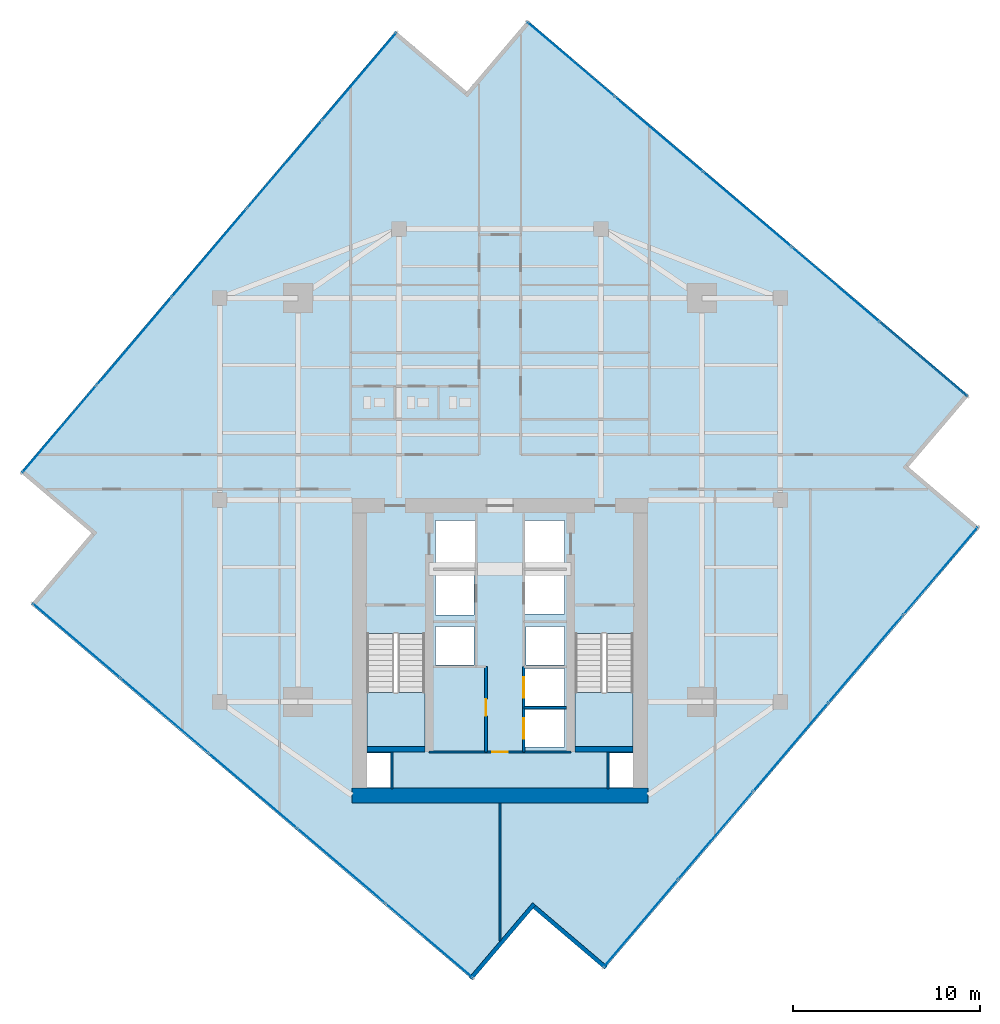
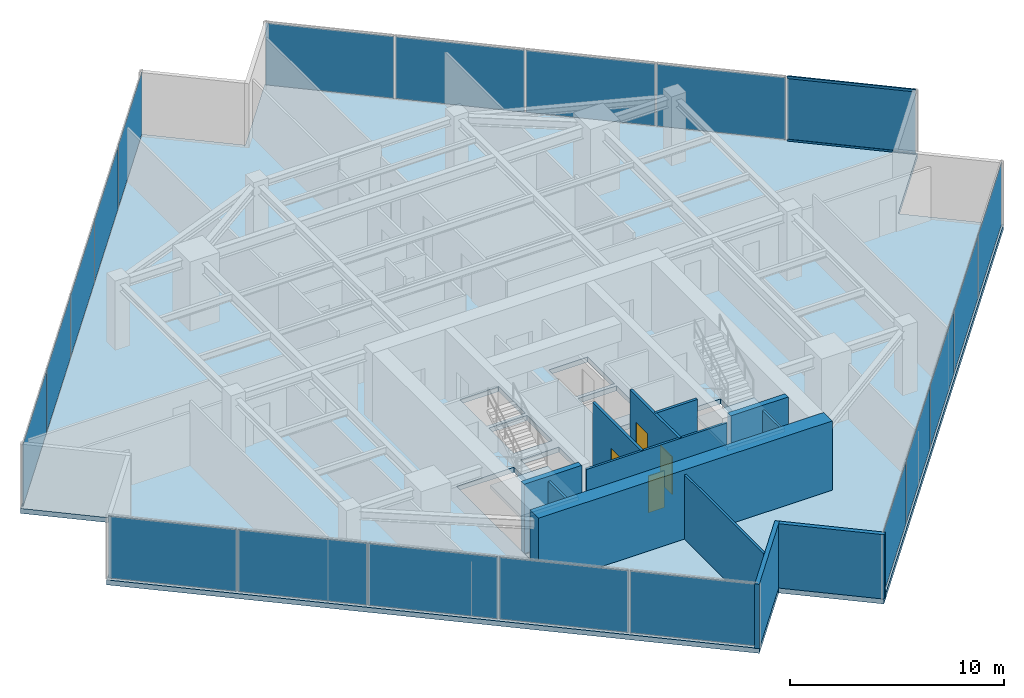
# One storey, part 21 of 25: 20 plates, 12 walls, 4 doors, 3 slabs, 2 members, 4 openings, 6 elements without a shape of their own.
"""IFC4 building model written with IfcOpenShell, lengths in metres."""

from ifc_helpers import new_model, si_unit, direction, frame, frame_2d, origin, origin_2d, place, context, subcontext, project, spatial, polyline, rectangle, hollow_rectangle, outline, extrude, source, transform, mapped, material, layer, layer_set, material_profile, profile_set, type_object, type_shapes, element, fill, aggregate, save


model = new_model("IFC4")

# Units and contexts
model_context = context("Model", 3, precision=1e-05, world=origin(), true_north=direction((0.0, 1.0)))
body_context = subcontext(model_context, "Body", "Model", "MODEL_VIEW")
ifc_project = project(units=[si_unit("LENGTHUNIT", "METRE"), si_unit("AREAUNIT", "SQUARE_METRE"), si_unit("VOLUMEUNIT", "CUBIC_METRE"), si_unit("PLANEANGLEUNIT", "RADIAN"), si_unit("MASSUNIT", "GRAM", prefix="KILO")], contexts=[model_context])

# Site, building, storey
site_placement = place(None, origin())
site = spatial("IfcSite", under=ifc_project, at=site_placement, CompositionType="ELEMENT")
building_placement = place(site_placement, origin())
building = spatial("IfcBuilding", under=site, at=building_placement, Name="Krantzveldt Concourse Tower", CompositionType="ELEMENT")
storey_placement = place(building_placement, frame((0.0, 0.0, 211.25)))
storey = spatial("IfcBuildingStorey", under=building, at=storey_placement, Name="L51", CompositionType="ELEMENT", Elevation=211.25)

# Curtain wall, members
ifc_material_1 = material(Name="Anodised aluminium 6063-T6", Category="aluminium")
curtain_wall_type = type_object("IfcCurtainWallType", Name="CW3", PredefinedType="USERDEFINED", material=ifc_material_1)
curtain_wall_1_placement = place(storey_placement, origin())
curtain_wall_1 = element("IfcCurtainWall", 1, at=curtain_wall_1_placement, inside=storey, type_object=curtain_wall_type, Name="CW-L51-F10", ObjectType="UNITISED CURTAIN WALL", PredefinedType="USERDEFINED")
ifc_material_profile = material_profile(ifc_material_1, hollow_rectangle(XDim=0.070068359375, YDim=0.139892578125, WallThickness=0.0048828125, at=origin_2d()), Name="Anodised aluminium 6063-T6", Category="aluminium")
ifc_profile_set = profile_set([ifc_material_profile], Name="Anodised aluminium 6063-T6 - ALU-TRAN 140x70x5")
member_type = type_object("IfcMemberType", Name="CW-TRN-150", PredefinedType="USERDEFINED", material=ifc_profile_set)
shared_shape_1 = source(origin(), body_context, "Body", "SweptSolid", [
    extrude(hollow_rectangle(XDim=0.070068359375, YDim=0.139892578125, WallThickness=0.0048828125, at=origin_2d()), origin(), (0.0, 0.0, 1.0), 6.094970703125),
])
type_shapes(member_type, [shared_shape_1])
member_1_placement = place(storey_placement, frame((60.976318359375, 32.25341796875, 0.034912109375), z_axis=(-0.761823672468, 0.64778444877, 0.0), x_axis=(-0.64778444877, -0.761823672468, 0.0)))
member_1 = element("IfcMember", 2, at=member_1_placement, type_object=member_type, Name="CW-Z34 transom 1.1", ObjectType="TRANSOM", PredefinedType="USERDEFINED", context=body_context, shape_type="MappedRepresentation", body=[
    mapped(shared_shape_1, transform((0.0, 0.0, 0.0), x_axis=(1.0, 0.0, 0.0), y_axis=(0.0, 1.0, 0.0), z_axis=(0.0, 0.0, 1.0), scale=1.0)),
])
member_2_placement = place(storey_placement, frame((60.976318359375, 32.25341796875, 3.635009765625), z_axis=(-0.761823672468, 0.64778444877, 0.0), x_axis=(-0.64778444877, -0.761823672468, 0.0)))
member_2 = element("IfcMember", 3, at=member_2_placement, type_object=member_type, Name="CW-Z34 transom 1.2", ObjectType="TRANSOM", PredefinedType="USERDEFINED", context=body_context, shape_type="MappedRepresentation", body=[
    mapped(shared_shape_1, transform((0.0, 0.0, 0.0), x_axis=(1.0, 0.0, 0.0), y_axis=(0.0, 1.0, 0.0), z_axis=(0.0, 0.0, 1.0), scale=1.0)),
])

# Stair, slab
ifc_material_2 = material(Name="Precast concrete C40/50", Category="concrete")
stair_type = type_object("IfcStairType", Name="STR-CORE-DOGLEG", PredefinedType="HALF_TURN_STAIR", material=ifc_material_2)
stair_1_placement = place(storey_placement, origin())
stair_1 = element("IfcStair", 4, at=stair_1_placement, inside=storey, type_object=stair_type, Name="L51 Protected Escape Stair ST-1", PredefinedType="HALF_TURN_STAIR")
ifc_layer_1 = layer(ifc_material_2, 0.199951171875, Name="Precast concrete C40/50", Category="concrete")
ifc_layer_set_1 = layer_set([ifc_layer_1], Name="Precast concrete C40/50 (SL-LANDING-200)")
slab_type_1 = type_object("IfcSlabType", Name="SL-LANDING-200", PredefinedType="LANDING", material=ifc_layer_set_1)
slab_1_placement = place(storey_placement, frame((0.0, 0.0, 1.77490234375)))
slab_1 = element("IfcSlab", 5, at=slab_1_placement, type_object=slab_type_1, Name="ST-1 landing 1", PredefinedType="LANDING", context=body_context, shape_type="SweptSolid", body=[
    extrude(outline(polyline([(28.8798828125, 16.4150390625), (28.8798828125, 13.52001953125), (31.97998046875, 13.52001953125), (31.97998046875, 16.4150390625), (28.8798828125, 16.4150390625)])), origin(), (0.0, 0.0, 1.0), 0.2001953125),
])
aggregate(stair_1, [slab_1])

stair_2_placement = place(storey_placement, origin())
stair_2 = element("IfcStair", 6, at=stair_2_placement, inside=storey, type_object=stair_type, Name="L51 Protected Escape Stair ST-2", PredefinedType="HALF_TURN_STAIR")
slab_2_placement = place(storey_placement, frame((0.0, 0.0, 1.77490234375)))
slab_2 = element("IfcSlab", 7, at=slab_2_placement, type_object=slab_type_1, Name="ST-2 landing 1", PredefinedType="LANDING", context=body_context, shape_type="SweptSolid", body=[
    extrude(outline(polyline([(40.02001953125, 16.4150390625), (40.02001953125, 13.52001953125), (43.1201171875, 13.52001953125), (43.1201171875, 16.4150390625), (40.02001953125, 16.4150390625)])), origin(), (0.0, 0.0, 1.0), 0.2001953125),
])
aggregate(stair_2, [slab_2])

# Slab
ifc_material_3 = material(Name="Concrete C40/50", Category="concrete")
ifc_layer_2 = layer(ifc_material_3, 0.280029296875, Name="Concrete C40/50", Category="concrete")
ifc_layer_set_2 = layer_set([ifc_layer_2], Name="Concrete C40/50 (SL-SL-TWR280)")
slab_type_2 = type_object("IfcSlabType", Name="SL-SL-TWR280", PredefinedType="FLOOR", material=ifc_layer_set_2)
slab_3_placement = place(storey_placement, frame((0.0, 0.0, -0.280029296875)))
element("IfcSlab", 8, at=slab_3_placement, inside=storey, type_object=slab_type_2, Name="SL-L51-MAIN", PredefinedType="FLOOR", context=body_context, shape_type="SweptSolid", body=[
    extrude(outline(polyline([(34.232421875, 48.548828125), (30.42333984375, 51.787841796875), (10.342041015625, 28.17138671875), (14.151123046875, 24.932373046875), (10.912109375, 21.123291015625), (34.528564453125, 1.0419921875), (37.767578125, 4.85107421875), (41.57666015625, 1.612060546875), (61.657958984375, 25.228515625), (57.848876953125, 28.467529296875), (61.087890625, 32.276611328125), (37.471435546875, 52.358154296875), (34.232421875, 48.548828125)]), holes=[polyline([(28.8798828125, 19.547607421875), (28.8798828125, 13.52001953125), (31.97998046875, 13.52001953125), (31.97998046875, 19.547607421875), (28.8798828125, 19.547607421875)]), polyline([(40.02001953125, 19.547607421875), (40.02001953125, 13.52001953125), (43.1201171875, 13.52001953125), (43.1201171875, 19.547607421875), (40.02001953125, 19.547607421875)]), polyline([(32.550048828125, 23.10009765625), (34.64990234375, 23.10009765625), (34.64990234375, 25.60009765625), (32.550048828125, 25.60009765625), (32.550048828125, 23.10009765625)]), polyline([(37.35009765625, 23.10009765625), (39.449951171875, 23.10009765625), (39.449951171875, 25.60009765625), (37.35009765625, 25.60009765625), (37.35009765625, 23.10009765625)]), polyline([(37.35009765625, 20.60009765625), (39.449951171875, 20.60009765625), (39.449951171875, 22.89990234375), (37.35009765625, 22.89990234375), (37.35009765625, 20.60009765625)]), polyline([(37.35009765625, 13.47998046875), (39.449951171875, 13.47998046875), (39.449951171875, 15.47998046875), (37.35009765625, 15.47998046875), (37.35009765625, 13.47998046875)]), polyline([(37.35009765625, 15.679931640625), (39.449951171875, 15.679931640625), (39.449951171875, 17.679931640625), (37.35009765625, 17.679931640625), (37.35009765625, 15.679931640625)]), polyline([(32.550048828125, 20.550048828125), (34.6201171875, 20.550048828125), (34.6201171875, 22.89990234375), (32.550048828125, 22.89990234375), (32.550048828125, 20.550048828125)]), polyline([(32.550048828125, 17.8798828125), (34.6201171875, 17.8798828125), (34.6201171875, 19.919921875), (32.550048828125, 19.919921875), (32.550048828125, 17.8798828125)]), polyline([(37.3798828125, 17.8798828125), (39.449951171875, 17.8798828125), (39.449951171875, 19.919921875), (37.3798828125, 19.919921875), (37.3798828125, 17.8798828125)]), polyline([(28.8798828125, 11.320068359375), (30.139892578125, 11.320068359375), (30.139892578125, 13.159912109375), (28.8798828125, 13.159912109375), (28.8798828125, 11.320068359375)]), polyline([(41.860107421875, 11.320068359375), (43.1201171875, 11.320068359375), (43.1201171875, 13.159912109375), (41.860107421875, 13.159912109375), (41.860107421875, 11.320068359375)])]), origin(), (0.0, 0.0, 1.0), 0.280029296875),
])

# Curtain wall, plates
curtain_wall_2_placement = place(storey_placement, origin())
curtain_wall_2 = element("IfcCurtainWall", 9, at=curtain_wall_2_placement, inside=storey, type_object=curtain_wall_type, Name="CW-L51-F01", ObjectType="UNITISED CURTAIN WALL", PredefinedType="USERDEFINED")
ifc_material_4 = material(Name="Bronze-tinted laminated low-E IGU glass", Category="glass")
ifc_layer_3 = layer(ifc_material_4, 0.031982421875, Name="Bronze-tinted laminated low-E IGU glass", Category="glass")
ifc_layer_set_3 = layer_set([ifc_layer_3], Name="Bronze-tinted laminated low-E IGU glass (CW-GLZ-32)")
plate_type = type_object("IfcPlateType", Name="CW-GLZ-32", PredefinedType="CURTAIN_PANEL", material=ifc_layer_set_3)
shared_shape_2 = source(origin(), body_context, "Body", "SweptSolid", [
    extrude(rectangle(XDim=6.094970703125, YDim=0.031982421875, at=origin_2d()), origin(), (0.0, 0.0, 1.0), 3.530029296875),
])
plate_1_placement = place(storey_placement, frame((28.472412109375, 49.3544921875, 0.06982421875), z_axis=(0.0, 0.0, 1.0), x_axis=(-0.647787694805, -0.761820912327, 0.0)))
plate_1 = element("IfcPlate", 10, at=plate_1_placement, type_object=plate_type, Name="CW-Z34 panel 1.1", PredefinedType="CURTAIN_PANEL", context=body_context, shape_type="MappedRepresentation", body=[
    mapped(shared_shape_2, transform((0.0, 0.0, 0.0), x_axis=(1.0, 0.0, 0.0), y_axis=(0.0, 1.0, 0.0), z_axis=(0.0, 0.0, 1.0), scale=1.0)),
])
plate_2_placement = place(storey_placement, frame((12.429931640625, 30.488037109375, 0.06982421875), z_axis=(0.0, 0.0, 1.0), x_axis=(-0.647787694805, -0.761820912327, 0.0)))
plate_2 = element("IfcPlate", 11, at=plate_2_placement, type_object=plate_type, Name="CW-Z34 panel 5.1", PredefinedType="CURTAIN_PANEL", context=body_context, shape_type="MappedRepresentation", body=[
    mapped(shared_shape_2, transform((0.0, 0.0, 0.0), x_axis=(1.0, 0.0, 0.0), y_axis=(0.0, 1.0, 0.0), z_axis=(0.0, 0.0, 1.0), scale=1.0)),
])

curtain_wall_3_placement = place(storey_placement, origin())
curtain_wall_3 = element("IfcCurtainWall", 12, at=curtain_wall_3_placement, inside=storey, type_object=curtain_wall_type, Name="CW-L51-F04", ObjectType="UNITISED CURTAIN WALL", PredefinedType="USERDEFINED")
plate_3_placement = place(storey_placement, frame((13.345458984375, 19.17236328125, 0.06982421875), z_axis=(0.0, 0.0, 1.0), x_axis=(0.761820912327, -0.647787694805, 0.0)))
plate_3 = element("IfcPlate", 13, at=plate_3_placement, type_object=plate_type, Name="CW-Z34 panel 1.1", PredefinedType="CURTAIN_PANEL", context=body_context, shape_type="MappedRepresentation", body=[
    mapped(shared_shape_2, transform((0.0, 0.0, 0.0), x_axis=(1.0, 0.0, 0.0), y_axis=(0.0, 1.0, 0.0), z_axis=(0.0, 0.0, 1.0), scale=1.0)),
])
plate_4_placement = place(storey_placement, frame((32.2119140625, 3.1298828125, 0.06982421875), z_axis=(0.0, 0.0, 1.0), x_axis=(0.761820912327, -0.647787694805, 0.0)))
plate_4 = element("IfcPlate", 14, at=plate_4_placement, type_object=plate_type, Name="CW-Z34 panel 5.1", PredefinedType="CURTAIN_PANEL", context=body_context, shape_type="MappedRepresentation", body=[
    mapped(shared_shape_2, transform((0.0, 0.0, 0.0), x_axis=(1.0, 0.0, 0.0), y_axis=(0.0, 1.0, 0.0), z_axis=(0.0, 0.0, 1.0), scale=1.0)),
])

curtain_wall_4_placement = place(storey_placement, origin())
curtain_wall_4 = element("IfcCurtainWall", 15, at=curtain_wall_4_placement, inside=storey, type_object=curtain_wall_type, Name="CW-L51-F07", ObjectType="UNITISED CURTAIN WALL", PredefinedType="USERDEFINED")
plate_5_placement = place(storey_placement, frame((43.527587890625, 4.04541015625, 0.06982421875), z_axis=(0.0, 0.0, 1.0), x_axis=(0.647787694805, 0.761820912327, 0.0)))
plate_5 = element("IfcPlate", 16, at=plate_5_placement, type_object=plate_type, Name="CW-Z34 panel 1.1", PredefinedType="CURTAIN_PANEL", context=body_context, shape_type="MappedRepresentation", body=[
    mapped(shared_shape_2, transform((0.0, 0.0, 0.0), x_axis=(1.0, 0.0, 0.0), y_axis=(0.0, 1.0, 0.0), z_axis=(0.0, 0.0, 1.0), scale=1.0)),
])
plate_6_placement = place(storey_placement, frame((59.570068359375, 22.911865234375, 0.06982421875), z_axis=(0.0, 0.0, 1.0), x_axis=(0.647787694805, 0.761820912327, 0.0)))
plate_6 = element("IfcPlate", 17, at=plate_6_placement, type_object=plate_type, Name="CW-Z34 panel 5.1", PredefinedType="CURTAIN_PANEL", context=body_context, shape_type="MappedRepresentation", body=[
    mapped(shared_shape_2, transform((0.0, 0.0, 0.0), x_axis=(1.0, 0.0, 0.0), y_axis=(0.0, 1.0, 0.0), z_axis=(0.0, 0.0, 1.0), scale=1.0)),
])

# Plate
plate_7_placement = place(storey_placement, frame((58.654541015625, 34.2275390625, 0.06982421875), z_axis=(0.0, 0.0, 1.0), x_axis=(-0.761820912327, 0.647787694805, 0.0)))
plate_7 = element("IfcPlate", 18, at=plate_7_placement, type_object=plate_type, Name="CW-Z34 panel 1.1", PredefinedType="CURTAIN_PANEL", context=body_context, shape_type="MappedRepresentation", body=[
    mapped(shared_shape_2, transform((0.0, 0.0, 0.0), x_axis=(1.0, 0.0, 0.0), y_axis=(0.0, 1.0, 0.0), z_axis=(0.0, 0.0, 1.0), scale=1.0)),
])

plate_8_placement = place(storey_placement, frame((39.7880859375, 50.27001953125, 0.06982421875), z_axis=(0.0, 0.0, 1.0), x_axis=(-0.761820912327, 0.647787694805, 0.0)))
plate_8 = element("IfcPlate", 19, at=plate_8_placement, type_object=plate_type, Name="CW-Z34 panel 5.1", PredefinedType="CURTAIN_PANEL", context=body_context, shape_type="MappedRepresentation", body=[
    mapped(shared_shape_2, transform((0.0, 0.0, 0.0), x_axis=(1.0, 0.0, 0.0), y_axis=(0.0, 1.0, 0.0), z_axis=(0.0, 0.0, 1.0), scale=1.0)),
])

shared_shape_3 = source(origin(), body_context, "Body", "SweptSolid", [
    extrude(rectangle(XDim=6.1298828125, YDim=0.031982421875, at=origin_2d()), origin(), (0.0, 0.0, 1.0), 3.530029296875),
])
type_shapes(plate_type, [shared_shape_2, shared_shape_3])
plate_9_placement = place(storey_placement, frame((24.467529296875, 44.64453125, 0.06982421875), z_axis=(0.0, 0.0, 1.0), x_axis=(-0.647787694805, -0.761820912327, 0.0)))
plate_9 = element("IfcPlate", 20, at=plate_9_placement, type_object=plate_type, Name="CW-Z34 panel 2.1", PredefinedType="CURTAIN_PANEL", context=body_context, shape_type="MappedRepresentation", body=[
    mapped(shared_shape_3, transform((0.0, 0.0, 0.0), x_axis=(1.0, 0.0, 0.0), y_axis=(0.0, 1.0, 0.0), z_axis=(0.0, 0.0, 1.0), scale=1.0)),
])

plate_10_placement = place(storey_placement, frame((20.451171875, 39.92138671875, 0.06982421875), z_axis=(0.0, 0.0, 1.0), x_axis=(-0.647787694805, -0.761820912327, 0.0)))
plate_10 = element("IfcPlate", 21, at=plate_10_placement, type_object=plate_type, Name="CW-Z34 panel 3.1", PredefinedType="CURTAIN_PANEL", context=body_context, shape_type="MappedRepresentation", body=[
    mapped(shared_shape_3, transform((0.0, 0.0, 0.0), x_axis=(1.0, 0.0, 0.0), y_axis=(0.0, 1.0, 0.0), z_axis=(0.0, 0.0, 1.0), scale=1.0)),
])

plate_11_placement = place(storey_placement, frame((16.43505859375, 35.197998046875, 0.06982421875), z_axis=(0.0, 0.0, 1.0), x_axis=(-0.647787694805, -0.761820912327, 0.0)))
plate_11 = element("IfcPlate", 22, at=plate_11_placement, type_object=plate_type, Name="CW-Z34 panel 4.1", PredefinedType="CURTAIN_PANEL", context=body_context, shape_type="MappedRepresentation", body=[
    mapped(shared_shape_3, transform((0.0, 0.0, 0.0), x_axis=(1.0, 0.0, 0.0), y_axis=(0.0, 1.0, 0.0), z_axis=(0.0, 0.0, 1.0), scale=1.0)),
])

aggregate(curtain_wall_2, [plate_1, plate_9, plate_10, plate_11, plate_2])

plate_12_placement = place(storey_placement, frame((18.055419921875, 15.16748046875, 0.06982421875), z_axis=(0.0, 0.0, 1.0), x_axis=(0.761820912327, -0.647787694805, 0.0)))
plate_12 = element("IfcPlate", 23, at=plate_12_placement, type_object=plate_type, Name="CW-Z34 panel 2.1", PredefinedType="CURTAIN_PANEL", context=body_context, shape_type="MappedRepresentation", body=[
    mapped(shared_shape_3, transform((0.0, 0.0, 0.0), x_axis=(1.0, 0.0, 0.0), y_axis=(0.0, 1.0, 0.0), z_axis=(0.0, 0.0, 1.0), scale=1.0)),
])

plate_13_placement = place(storey_placement, frame((22.778564453125, 11.151123046875, 0.06982421875), z_axis=(0.0, 0.0, 1.0), x_axis=(0.761820912327, -0.647787694805, 0.0)))
plate_13 = element("IfcPlate", 24, at=plate_13_placement, type_object=plate_type, Name="CW-Z34 panel 3.1", PredefinedType="CURTAIN_PANEL", context=body_context, shape_type="MappedRepresentation", body=[
    mapped(shared_shape_3, transform((0.0, 0.0, 0.0), x_axis=(1.0, 0.0, 0.0), y_axis=(0.0, 1.0, 0.0), z_axis=(0.0, 0.0, 1.0), scale=1.0)),
])

plate_14_placement = place(storey_placement, frame((27.501953125, 7.135009765625, 0.06982421875), z_axis=(0.0, 0.0, 1.0), x_axis=(0.761820912327, -0.647787694805, 0.0)))
plate_14 = element("IfcPlate", 25, at=plate_14_placement, type_object=plate_type, Name="CW-Z34 panel 4.1", PredefinedType="CURTAIN_PANEL", context=body_context, shape_type="MappedRepresentation", body=[
    mapped(shared_shape_3, transform((0.0, 0.0, 0.0), x_axis=(1.0, 0.0, 0.0), y_axis=(0.0, 1.0, 0.0), z_axis=(0.0, 0.0, 1.0), scale=1.0)),
])

aggregate(curtain_wall_3, [plate_3, plate_12, plate_13, plate_14, plate_4])

plate_15_placement = place(storey_placement, frame((47.532470703125, 8.75537109375, 0.06982421875), z_axis=(0.0, 0.0, 1.0), x_axis=(0.647787694805, 0.761820912327, 0.0)))
plate_15 = element("IfcPlate", 26, at=plate_15_placement, type_object=plate_type, Name="CW-Z34 panel 2.1", PredefinedType="CURTAIN_PANEL", context=body_context, shape_type="MappedRepresentation", body=[
    mapped(shared_shape_3, transform((0.0, 0.0, 0.0), x_axis=(1.0, 0.0, 0.0), y_axis=(0.0, 1.0, 0.0), z_axis=(0.0, 0.0, 1.0), scale=1.0)),
])

plate_16_placement = place(storey_placement, frame((51.548828125, 13.478759765625, 0.06982421875), z_axis=(0.0, 0.0, 1.0), x_axis=(0.647787694805, 0.761820912327, 0.0)))
plate_16 = element("IfcPlate", 27, at=plate_16_placement, type_object=plate_type, Name="CW-Z34 panel 3.1", PredefinedType="CURTAIN_PANEL", context=body_context, shape_type="MappedRepresentation", body=[
    mapped(shared_shape_3, transform((0.0, 0.0, 0.0), x_axis=(1.0, 0.0, 0.0), y_axis=(0.0, 1.0, 0.0), z_axis=(0.0, 0.0, 1.0), scale=1.0)),
])

plate_17_placement = place(storey_placement, frame((55.56494140625, 18.201904296875, 0.06982421875), z_axis=(0.0, 0.0, 1.0), x_axis=(0.647787694805, 0.761820912327, 0.0)))
plate_17 = element("IfcPlate", 28, at=plate_17_placement, type_object=plate_type, Name="CW-Z34 panel 4.1", PredefinedType="CURTAIN_PANEL", context=body_context, shape_type="MappedRepresentation", body=[
    mapped(shared_shape_3, transform((0.0, 0.0, 0.0), x_axis=(1.0, 0.0, 0.0), y_axis=(0.0, 1.0, 0.0), z_axis=(0.0, 0.0, 1.0), scale=1.0)),
])

aggregate(curtain_wall_4, [plate_5, plate_15, plate_16, plate_17, plate_6])

plate_18_placement = place(storey_placement, frame((53.944580078125, 38.232421875, 0.06982421875), z_axis=(0.0, 0.0, 1.0), x_axis=(-0.761820912327, 0.647787694805, 0.0)))
plate_18 = element("IfcPlate", 29, at=plate_18_placement, type_object=plate_type, Name="CW-Z34 panel 2.1", PredefinedType="CURTAIN_PANEL", context=body_context, shape_type="MappedRepresentation", body=[
    mapped(shared_shape_3, transform((0.0, 0.0, 0.0), x_axis=(1.0, 0.0, 0.0), y_axis=(0.0, 1.0, 0.0), z_axis=(0.0, 0.0, 1.0), scale=1.0)),
])

plate_19_placement = place(storey_placement, frame((49.221435546875, 42.248779296875, 0.06982421875), z_axis=(0.0, 0.0, 1.0), x_axis=(-0.761820912327, 0.647787694805, 0.0)))
plate_19 = element("IfcPlate", 30, at=plate_19_placement, type_object=plate_type, Name="CW-Z34 panel 3.1", PredefinedType="CURTAIN_PANEL", context=body_context, shape_type="MappedRepresentation", body=[
    mapped(shared_shape_3, transform((0.0, 0.0, 0.0), x_axis=(1.0, 0.0, 0.0), y_axis=(0.0, 1.0, 0.0), z_axis=(0.0, 0.0, 1.0), scale=1.0)),
])

plate_20_placement = place(storey_placement, frame((44.498046875, 46.26513671875, 0.06982421875), z_axis=(0.0, 0.0, 1.0), x_axis=(-0.761820912327, 0.647787694805, 0.0)))
plate_20 = element("IfcPlate", 31, at=plate_20_placement, type_object=plate_type, Name="CW-Z34 panel 4.1", PredefinedType="CURTAIN_PANEL", context=body_context, shape_type="MappedRepresentation", body=[
    mapped(shared_shape_3, transform((0.0, 0.0, 0.0), x_axis=(1.0, 0.0, 0.0), y_axis=(0.0, 1.0, 0.0), z_axis=(0.0, 0.0, 1.0), scale=1.0)),
])

aggregate(curtain_wall_1, [member_1, member_2, plate_7, plate_18, plate_19, plate_20, plate_8])

# Walls
ifc_layer_4 = layer(ifc_material_1, 0.219970703125, Name="Anodised aluminium 6063-T6", Category="aluminium")
ifc_layer_set_4 = layer_set([ifc_layer_4], Name="Anodised aluminium 6063-T6 (WL-EXT-NOTCH220)")
wall_type_1 = type_object("IfcWallType", Name="WL-EXT-NOTCH220", PredefinedType="ELEMENTEDWALL", material=ifc_layer_set_4)
wall_1_placement = place(storey_placement, frame((34.428466796875, 1.09423828125, 0.0), z_axis=(0.0, 0.0, 1.0), x_axis=(0.647807844474, 0.761803778304, 0.0)))
element("IfcWall", 32, at=wall_1_placement, inside=storey, type_object=wall_type_1, Name="EW-L51-NCH05", PredefinedType="ELEMENTEDWALL", context=body_context, shape_type="SweptSolid", body=[
    extrude(rectangle(XDim=5.244873046875, YDim=0.219970703125, at=frame_2d((2.62255859375, 0.0))), origin(), (0.0, 0.0, 1.0), 3.669921875),
])
wall_2_placement = place(storey_placement, frame((37.8388671875, 4.934814453125, 0.0), z_axis=(0.0, 0.0, 1.0), x_axis=(0.761819427757, -0.647789440707, 0.0)))
element("IfcWall", 33, at=wall_2_placement, inside=storey, type_object=wall_type_1, Name="EW-L51-NCH06", PredefinedType="ELEMENTEDWALL", context=body_context, shape_type="SweptSolid", body=[
    extrude(rectangle(XDim=5.02490234375, YDim=0.219970703125, at=frame_2d((2.512451171875, 0.0))), origin(), (0.0, 0.0, 1.0), 3.669921875),
])

# Wall, opening, door
ifc_material_5 = material(Name="Fire-rated gypsum plasterboard on steel stud", Category="steel")
ifc_layer_5 = layer(ifc_material_5, 0.1201171875, Name="Fire-rated gypsum plasterboard on steel stud", Category="steel")
ifc_layer_set_5 = layer_set([ifc_layer_5], Name="Fire-rated gypsum plasterboard on steel stud (WL-PART-120)")
wall_type_2 = type_object("IfcWallType", Name="WL-PART-120", PredefinedType="PARTITIONING", material=ifc_layer_set_5)
wall_3_placement = place(storey_placement, frame((32.2099609375, 13.219970703125, 0.0), z_axis=(0.0, 0.0, 1.0), x_axis=(1.0, 0.0, 0.0)))
wall_3 = element("IfcWall", 34, at=wall_3_placement, inside=storey, type_object=wall_type_2, Name="WP-L51-CS2H", PredefinedType="PARTITIONING", context=body_context, shape_type="SweptSolid", body=[
    extrude(rectangle(XDim=7.580078125, YDim=0.1201171875, at=frame_2d((3.7900390625, 0.0))), origin(), (0.0, 0.0, 1.0), 3.669921875),
])
opening_1_placement = place(wall_3_placement, frame((3.364990234375, 0.0, 0.0)))
opening_1 = element("IfcOpeningElement", 35, at=opening_1_placement, cuts=wall_3, Name="Opening D-IN085", PredefinedType="OPENING", context=body_context, shape_type="SweptSolid", body=[
    extrude(rectangle(XDim=0.85009765625, YDim=2.10009765625, at=frame_2d((0.425048828125, 1.050048828125))), frame((0.0, 0.070068359375, 0.0), z_axis=(0.0, -1.0, 0.0), x_axis=(1.0, 0.0, 0.0)), (0.0, 0.0, 1.0), 0.14013671875),
])
ifc_material_6 = material(Name="Hardwood timber", Category="wood")
door_type_1 = type_object("IfcDoorType", Name="DR-INT-850", OperationType="SINGLE_SWING_LEFT", PredefinedType="DOOR", material=ifc_material_6)
door_1_placement = place(opening_1_placement, origin())
door_1 = element("IfcDoor", 36, at=door_1_placement, inside=storey, type_object=door_type_1, Name="DR-L51-CSC1", OperationType="SINGLE_SWING_RIGHT", OverallHeight=2.10009765625, OverallWidth=0.85009765625, PredefinedType="DOOR", context=body_context, shape_type="SweptSolid", body=[
    extrude(rectangle(XDim=0.85009765625, YDim=2.10009765625, at=frame_2d((0.425048828125, 1.050048828125))), frame((0.0, 0.02490234375, 0.0), z_axis=(0.0, -1.0, 0.0), x_axis=(1.0, 0.0, 0.0)), (0.0, 0.0, 1.0), 0.050048828125),
])
fill(opening_1, door_1)

# Wall
wall_4_placement = place(storey_placement, frame((36.0, 3.11962890625, 0.0), z_axis=(0.0, 0.0, 1.0), x_axis=(0.0, 1.0, 0.0)))
element("IfcWall", 37, at=wall_4_placement, inside=storey, type_object=wall_type_2, Name="WP-L51-SMID", PredefinedType="PARTITIONING", context=body_context, shape_type="SweptSolid", body=[
    extrude(rectangle(XDim=7.38037109375, YDim=0.1201171875, at=frame_2d((3.690185546875, 0.0))), origin(), (0.0, 0.0, 1.0), 3.669921875),
])

# Wall, opening, door
ifc_layer_6 = layer(ifc_material_5, 0.139892578125, Name="Fire-rated gypsum plasterboard on steel stud", Category="steel")
ifc_layer_set_6 = layer_set([ifc_layer_6], Name="Fire-rated gypsum plasterboard on steel stud (WL-PART-FR140)")
wall_type_3 = type_object("IfcWallType", Name="WL-PART-FR140", PredefinedType="PARTITIONING", material=ifc_layer_set_6)
wall_5_placement = place(storey_placement, frame((35.25, 13.219970703125, 0.0), z_axis=(0.0, 0.0, 1.0), x_axis=(0.0, 1.0, 0.0)))
wall_5 = element("IfcWall", 38, at=wall_5_placement, inside=storey, type_object=wall_type_3, Name="WP-L51-RECW", PredefinedType="PARTITIONING", context=body_context, shape_type="SweptSolid", body=[
    extrude(rectangle(XDim=4.56005859375, YDim=0.139892578125, at=frame_2d((2.280029296875, 0.0))), origin(), (0.0, 0.0, 1.0), 3.669921875),
])
opening_2_placement = place(wall_5_placement, frame((1.929931640625, 0.0, 0.0)))
opening_2 = element("IfcOpeningElement", 39, at=opening_2_placement, cuts=wall_5, Name="Opening D-FD090", PredefinedType="OPENING", context=body_context, shape_type="SweptSolid", body=[
    extrude(rectangle(XDim=0.89990234375, YDim=2.10009765625, at=frame_2d((0.449951171875, 1.050048828125))), frame((0.0, 0.080078125, 0.0), z_axis=(0.0, -1.0, 0.0), x_axis=(1.0, 0.0, 0.0)), (0.0, 0.0, 1.0), 0.159912109375),
])
door_type_2 = type_object("IfcDoorType", Name="DR-FD60-900", OperationType="SINGLE_SWING_LEFT", PredefinedType="DOOR", material=ifc_material_6)
door_2_placement = place(opening_2_placement, origin())
door_2 = element("IfcDoor", 40, at=door_2_placement, inside=storey, type_object=door_type_2, Name="DR-L51-RECW", OperationType="SINGLE_SWING_LEFT", OverallHeight=2.10009765625, OverallWidth=0.89990234375, PredefinedType="DOOR", context=body_context, shape_type="SweptSolid", body=[
    extrude(rectangle(XDim=0.89990234375, YDim=2.10009765625, at=frame_2d((0.449951171875, 1.050048828125))), frame((0.0, 0.02490234375, 0.0), z_axis=(0.0, -1.0, 0.0), x_axis=(1.0, 0.0, 0.0)), (0.0, 0.0, 1.0), 0.050048828125),
])
fill(opening_2, door_2)

# Wall, openings, doors
wall_6_placement = place(storey_placement, frame((37.280029296875, 13.219970703125, 0.0), z_axis=(0.0, 0.0, 1.0), x_axis=(0.0, 1.0, 0.0)))
wall_6 = element("IfcWall", 41, at=wall_6_placement, inside=storey, type_object=wall_type_3, Name="WP-L51-SHSE", PredefinedType="PARTITIONING", context=body_context, shape_type="SweptSolid", body=[
    extrude(rectangle(XDim=4.56005859375, YDim=0.139892578125, at=frame_2d((2.280029296875, 0.0))), origin(), (0.0, 0.0, 1.0), 3.669921875),
])
opening_3_placement = place(wall_6_placement, frame((0.7099609375, 0.0, 0.0)))
opening_3 = element("IfcOpeningElement", 42, at=opening_3_placement, cuts=wall_6, Name="Opening LD", PredefinedType="OPENING", context=body_context, shape_type="SweptSolid", body=[
    extrude(rectangle(XDim=1.10009765625, YDim=2.14990234375, at=frame_2d((0.550048828125, 1.074951171875))), frame((0.0, 0.080078125, 0.0), z_axis=(0.0, -1.0, 0.0), x_axis=(1.0, 0.0, 0.0)), (0.0, 0.0, 1.0), 0.159912109375),
])
opening_4_placement = place(wall_6_placement, frame((2.909912109375, 0.0, 0.0)))
opening_4 = element("IfcOpeningElement", 43, at=opening_4_placement, cuts=wall_6, Name="Opening LD", PredefinedType="OPENING", context=body_context, shape_type="SweptSolid", body=[
    extrude(rectangle(XDim=1.10009765625, YDim=2.14990234375, at=frame_2d((0.550048828125, 1.074951171875))), frame((0.0, 0.080078125, 0.0), z_axis=(0.0, -1.0, 0.0), x_axis=(1.0, 0.0, 0.0)), (0.0, 0.0, 1.0), 0.159912109375),
])
ifc_material_7 = material(Name="Stainless steel 316L", Category="steel")
door_type_3 = type_object("IfcDoorType", Name="DR-SLIDE-LD1100", OperationType="DOUBLE_DOOR_SLIDING", PredefinedType="DOOR", material=ifc_material_7)
door_3_placement = place(opening_3_placement, origin())
door_3 = element("IfcDoor", 44, at=door_3_placement, inside=storey, type_object=door_type_3, Name="LD-L51-PM1", OperationType="DOUBLE_DOOR_SLIDING", OverallHeight=2.14990234375, OverallWidth=1.10009765625, PredefinedType="DOOR", context=body_context, shape_type="SweptSolid", body=[
    extrude(rectangle(XDim=1.10009765625, YDim=2.14990234375, at=frame_2d((0.550048828125, 1.074951171875))), frame((0.0, 0.02490234375, 0.0), z_axis=(0.0, -1.0, 0.0), x_axis=(1.0, 0.0, 0.0)), (0.0, 0.0, 1.0), 0.050048828125),
])
fill(opening_3, door_3)
door_4_placement = place(opening_4_placement, origin())
door_4 = element("IfcDoor", 45, at=door_4_placement, inside=storey, type_object=door_type_3, Name="LD-L51-PM2", OperationType="DOUBLE_DOOR_SLIDING", OverallHeight=2.14990234375, OverallWidth=1.10009765625, PredefinedType="DOOR", context=body_context, shape_type="SweptSolid", body=[
    extrude(rectangle(XDim=1.10009765625, YDim=2.14990234375, at=frame_2d((0.550048828125, 1.074951171875))), frame((0.0, 0.02490234375, 0.0), z_axis=(0.0, -1.0, 0.0), x_axis=(1.0, 0.0, 0.0)), (0.0, 0.0, 1.0), 0.050048828125),
])
fill(opening_4, door_4)

# Walls
wall_7_placement = place(storey_placement, frame((37.280029296875, 15.580078125, 0.0), z_axis=(0.0, 0.0, 1.0), x_axis=(1.0, 0.0, 0.0)))
element("IfcWall", 46, at=wall_7_placement, inside=storey, type_object=wall_type_3, Name="WP-L51-DIVE1", PredefinedType="PARTITIONING", context=body_context, shape_type="SweptSolid", body=[
    extrude(rectangle(XDim=2.27001953125, YDim=0.139892578125, at=frame_2d((1.135009765625, 0.0))), origin(), (0.0, 0.0, 1.0), 3.669921875),
])
for number, where, z_axis, x_axis, name in (
    (47, (30.219970703125, 11.25, 0.0), (0.0, 0.0, 1.0), (0.0, 1.0, 0.0), "WP-L51-RSW"),
    (48, (41.780029296875, 11.25, 0.0), (0.0, 0.0, 1.0), (0.0, 1.0, 0.0), "WP-L51-RSE"),
):
    element("IfcWall", number, at=place(storey_placement, frame(where, z_axis=z_axis, x_axis=x_axis)), inside=storey, type_object=wall_type_3, Name=name, PredefinedType="PARTITIONING", context=body_context, shape_type="SweptSolid", body=[
        extrude(rectangle(XDim=1.969970703125, YDim=0.1201171875, at=frame_2d((0.98486328125, 0.0))), origin(), (0.0, 0.0, 1.0), 3.669921875),
    ])
ifc_material_8 = material(Name="Concrete C50/60", Category="concrete")
ifc_layer_7 = layer(ifc_material_8, 0.300048828125, Name="Concrete C50/60", Category="concrete")
ifc_layer_set_7 = layer_set([ifc_layer_7], Name="Concrete C50/60 (WL-SHEAR-300)")
wall_type_4 = type_object("IfcWallType", Name="WL-SHEAR-300", PredefinedType="SHEAR", material=ifc_layer_set_7)
for number, where, z_axis, x_axis, name in (
    (49, (28.8798828125, 13.3701171875, 0.0), (0.0, 0.0, 1.0), (1.0, 0.0, 0.0), "CW-L51-ST1S"),
    (50, (40.02001953125, 13.3701171875, 0.0), (0.0, 0.0, 1.0), (1.0, 0.0, 0.0), "CW-L51-ST2S"),
):
    element("IfcWall", number, at=place(storey_placement, frame(where, z_axis=z_axis, x_axis=x_axis)), inside=storey, type_object=wall_type_4, Name=name, PredefinedType="SHEAR", context=body_context, shape_type="SweptSolid", body=[
        extrude(rectangle(XDim=3.10009765625, YDim=0.300048828125, at=frame_2d((1.550048828125, 0.0))), origin(), (0.0, 0.0, 1.0), 3.949951171875),
    ])
ifc_material_9 = material(Name="Concrete C60/75", Category="concrete")
ifc_layer_8 = layer(ifc_material_9, 0.800048828125, Name="Concrete C60/75", Category="concrete")
ifc_layer_set_8 = layer_set([ifc_layer_8], Name="Concrete C60/75 (WL-SHEAR-800)")
wall_type_5 = type_object("IfcWallType", Name="WL-SHEAR-800", PredefinedType="SHEAR", material=ifc_layer_set_8)
wall_8_placement = place(storey_placement, frame((28.080078125, 10.89990234375, 0.0), z_axis=(0.0, 0.0, 1.0), x_axis=(1.0, 0.0, 0.0)))
element("IfcWall", 51, at=wall_8_placement, inside=storey, type_object=wall_type_5, Name="CW-L51-S", PredefinedType="SHEAR", context=body_context, shape_type="SweptSolid", body=[
    extrude(rectangle(XDim=15.83984375, YDim=0.800048828125, at=frame_2d((7.919921875, 0.0))), origin(), (0.0, 0.0, 1.0), 3.949951171875),
])

save(model, "model.ifc")
